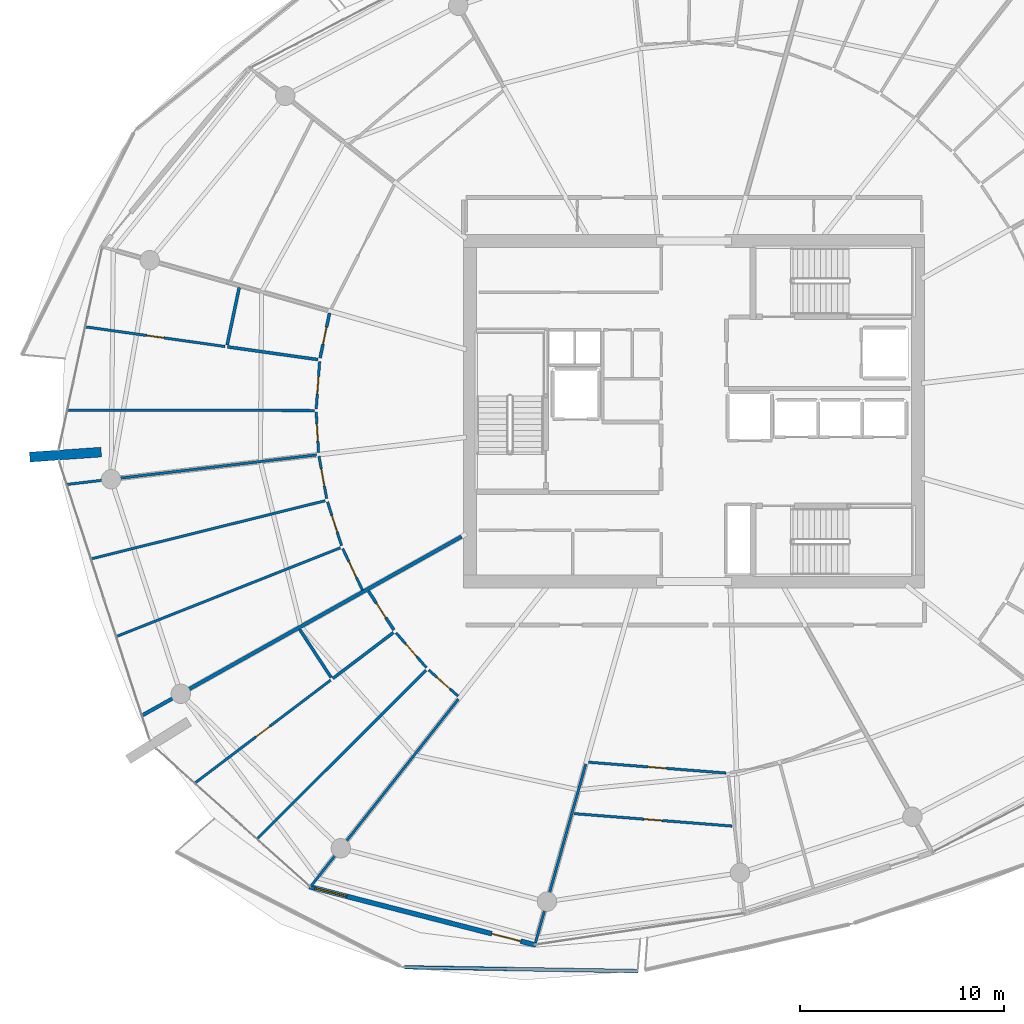
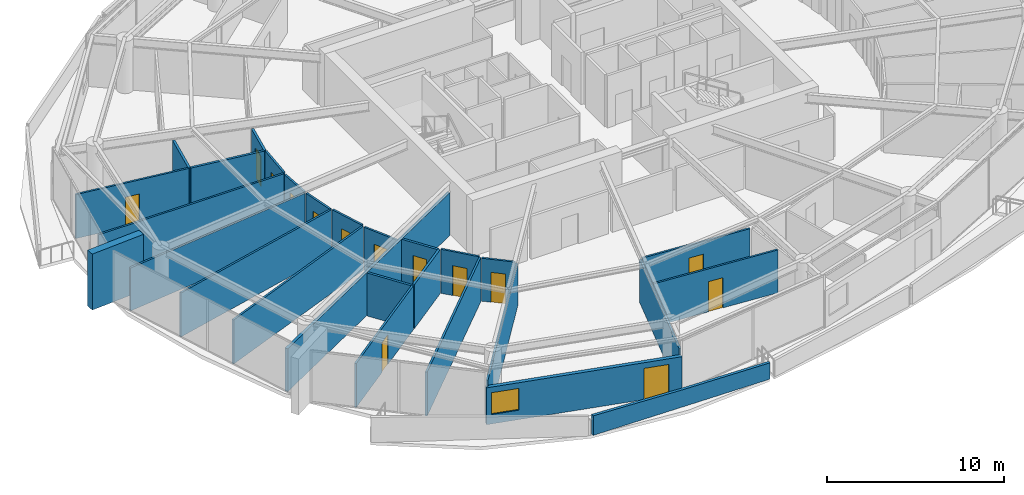
# One storey, part 17 of 29: 28 walls, 14 doors, 1 window, 15 openings.
"""IFC4 building model written with IfcOpenShell, lengths in metres."""

from ifc_helpers import new_model, si_unit, direction, frame, frame_2d, origin, place, context, subcontext, project, spatial, polyline, rectangle, outline, extrude, material, layer, layer_set, type_object, element, fill, save


model = new_model("IFC4")

# Units and contexts
model_context = context("Model", 3, precision=1e-05, world=origin(), true_north=direction((0.0, 1.0)))
body_context = subcontext(model_context, "Body", "Model", "MODEL_VIEW")
ifc_project = project(units=[si_unit("LENGTHUNIT", "METRE"), si_unit("AREAUNIT", "SQUARE_METRE"), si_unit("VOLUMEUNIT", "CUBIC_METRE"), si_unit("PLANEANGLEUNIT", "RADIAN"), si_unit("MASSUNIT", "GRAM", prefix="KILO")], contexts=[model_context])

# Site, building, storey
site_placement = place(None, origin())
site = spatial("IfcSite", under=ifc_project, at=site_placement, CompositionType="ELEMENT")
building_placement = place(site_placement, origin())
building = spatial("IfcBuilding", under=site, at=building_placement, Name="Kazma Halo Residences", CompositionType="ELEMENT")
storey_placement = place(building_placement, frame((0.0, 0.0, 252.10009765625)))
storey = spatial("IfcBuildingStorey", under=building, at=storey_placement, Name="L63", CompositionType="ELEMENT", Elevation=252.10009765625)

# Walls
ifc_material_1 = material(Name="White Concrete C50/60 Balustrade", Category="concrete")
ifc_layer_1 = layer(ifc_material_1, 0.179931640625)
ifc_layer_set_1 = layer_set([ifc_layer_1], Name="White Concrete C50/60 Balustrade")
wall_type_1 = type_object("IfcWallType", Name="WL-BAL-WAVE-180", PredefinedType="PARAPET", material=ifc_layer_set_1)
wall_1_placement = place(storey_placement, frame((34.267333984375, 14.810546875, 0.0), z_axis=(0.0, 0.0, 1.0), x_axis=(0.999862171908, -0.016602324761, 0.0)))
element("IfcWall", 1, at=wall_1_placement, inside=storey, type_object=wall_type_1, Name="L63 white wave balustrade wall SW.2", PredefinedType="PARAPET", context=body_context, shape_type="SweptSolid", body=[
    extrude(outline(polyline([(0.0, 0.0), (11.4111328125, 0.0), (11.4111328125, 1.119873046875), (5.70556640625, 1.181884765625), (0.0, 1.347900390625), (0.0, 0.0)])), frame((0.0, 0.08984375, 0.0), z_axis=(0.0, -1.0, 0.0), x_axis=(1.0, 0.0, 0.0)), (0.0, 0.0, 1.0), 0.179931640625),
])
ifc_material_2 = material(Name="Pale Concrete C60/75", Category="concrete")
ifc_layer_2 = layer(ifc_material_2, 0.47998046875)
ifc_layer_set_2 = layer_set([ifc_layer_2], Name="Pale Concrete C60/75")
wall_type_2 = type_object("IfcWallType", Name="WL-BLADE-480", PredefinedType="SOLIDWALL", material=ifc_layer_set_2)
wall_2_placement = place(storey_placement, frame((19.4375, 40.002685546875, 0.0), z_axis=(0.0, 0.0, 1.0), x_axis=(-0.997563824095, -0.069759707979, 0.0)))
element("IfcWall", 2, at=wall_2_placement, inside=storey, type_object=wall_type_2, Name="L63 pale concrete structural blade fin wall BW-02", PredefinedType="SOLIDWALL", context=body_context, shape_type="SweptSolid", body=[
    extrude(rectangle(XDim=3.499755859375, YDim=0.47998046875, at=frame_2d((1.75, 0.0))), origin(), (0.0, 0.0, 1.0), 3.849853515625),
])
ifc_material_3 = material(Name="Acoustic Twin-Stud Gypsum")
ifc_layer_3 = layer(ifc_material_3, 0.179931640625)
ifc_layer_set_3 = layer_set([ifc_layer_3], Name="Acoustic Twin-Stud Gypsum")
wall_type_3 = type_object("IfcWallType", Name="WL-DEM-180", PredefinedType="PARTITIONING", material=ifc_layer_set_3)
wall_3_placement = place(storey_placement, frame((37.053955078125, 35.8701171875, 0.0), z_axis=(0.0, 0.0, 1.0), x_axis=(-0.872490186067, -0.488631635506, 0.0)))
element("IfcWall", 3, at=wall_3_placement, inside=storey, type_object=wall_type_3, Name="L63 apartment demising radial wall 08", PredefinedType="PARTITIONING", context=body_context, shape_type="SweptSolid", body=[
    extrude(rectangle(XDim=17.88427734375, YDim=0.179931640625, at=frame_2d((8.942138671875, 0.0))), origin(), (0.0, 0.0, 1.0), 2.956787109375),
])

# Wall, openings, door, window
ifc_material_4 = material(Name="Insulated Pale-Metal Composite Wall")
ifc_layer_4 = layer(ifc_material_4, 0.239990234375)
ifc_layer_set_4 = layer_set([ifc_layer_4], Name="Insulated Pale-Metal Composite Wall")
wall_type_4 = type_object("IfcWallType", Name="WL-EXT-HOST-240", PredefinedType="SOLIDWALL", material=ifc_layer_set_4)
wall_4_placement = place(storey_placement, frame((29.613525390625, 18.7509765625, 0.0), z_axis=(0.0, 0.0, 1.0), x_axis=(0.968343758421, -0.249620442927, 0.0)))
wall_4 = element("IfcWall", 4, at=wall_4_placement, inside=storey, type_object=wall_type_4, Name="L63 exterior terrace-access wall B10", PredefinedType="SOLIDWALL", context=body_context, shape_type="SweptSolid", body=[
    extrude(rectangle(XDim=11.438232421875, YDim=0.239990234375, at=frame_2d((5.71923828125, 0.0))), origin(), (0.0, 0.0, 1.0), 2.539794921875),
])
opening_1_placement = place(wall_4_placement, frame((9.21826171875, 0.0, 0.0)))
opening_1 = element("IfcOpeningElement", 5, at=opening_1_placement, cuts=wall_4, Name="Opening DTR-1600", PredefinedType="OPENING", context=body_context, shape_type="SweptSolid", body=[
    extrude(rectangle(XDim=1.449951171875, YDim=2.14990234375, at=frame_2d((0.72509765625, 1.074951171875))), frame((0.0, 0.1298828125, 0.0), z_axis=(0.0, -1.0, 0.0), x_axis=(1.0, 0.0, 0.0)), (0.0, 0.0, 1.0), 0.260009765625),
])
opening_2_placement = place(wall_4_placement, frame((0.280029296875, 0.0, 0.64990234375)))
opening_2 = element("IfcOpeningElement", 6, at=opening_2_placement, cuts=wall_4, Name="Opening W-1800", PredefinedType="OPENING", context=body_context, shape_type="SweptSolid", body=[
    extrude(rectangle(XDim=1.60009765625, YDim=1.5, at=frame_2d((0.800048828125, 0.75))), frame((0.0, 0.1298828125, 0.0), z_axis=(0.0, -1.0, 0.0), x_axis=(1.0, 0.0, 0.0)), (0.0, 0.0, 1.0), 0.260009765625),
])
ifc_material_5 = material(Name="Aluminium AW-6063 T6 Double-Glazed Terrace Door", Category="aluminium")
door_type_1 = type_object("IfcDoorType", Name="DR-EXT-TERR-1600", OperationType="NOTDEFINED", PredefinedType="DOOR", material=ifc_material_5)
door_1_placement = place(opening_1_placement, origin())
door_1 = element("IfcDoor", 7, at=door_1_placement, inside=storey, type_object=door_type_1, Name="L63 B10 balcony terrace door", OperationType="DOUBLE_DOOR_SLIDING", OverallHeight=2.14990234375, OverallWidth=1.449951171875, PredefinedType="DOOR", context=body_context, shape_type="SweptSolid", body=[
    extrude(rectangle(XDim=1.449951171875, YDim=2.14990234375, at=frame_2d((0.72509765625, 1.074951171875))), frame((0.0, 0.02490234375, 0.0), z_axis=(0.0, -1.0, 0.0), x_axis=(1.0, 0.0, 0.0)), (0.0, 0.0, 1.0), 0.050048828125),
])
fill(opening_1, door_1)
ifc_material_6 = material(Name="Clear Triple-Silver Low-E Glass in Aluminium AW-6063 T6 Frame", Category="aluminium")
window_type = type_object("IfcWindowType", Name="WIN-RES-1800", PartitioningType="DOUBLE_PANEL_VERTICAL", PredefinedType="WINDOW", material=ifc_material_6)
window_placement = place(opening_2_placement, origin())
window = element("IfcWindow", 8, at=window_placement, inside=storey, type_object=window_type, Name="L63 B10 apartment window", OverallHeight=1.5, OverallWidth=1.60009765625, PartitioningType="SINGLE_PANEL", PredefinedType="WINDOW", context=body_context, shape_type="SweptSolid", body=[
    extrude(rectangle(XDim=1.60009765625, YDim=1.5, at=frame_2d((0.800048828125, 0.75))), frame((0.0, 0.030029296875, 0.0), z_axis=(0.0, -1.0, 0.0), x_axis=(1.0, 0.0, 0.0)), (0.0, 0.0, 1.0), 0.06005859375),
])
fill(opening_2, window)

# Wall, opening, door
ifc_material_7 = material(Name="Gypsum Plasterboard Partition")
ifc_layer_5 = layer(ifc_material_7, 0.125)
ifc_layer_set_5 = layer_set([ifc_layer_5], Name="Gypsum Plasterboard Partition")
wall_type_5 = type_object("IfcWallType", Name="WL-PART-125", PredefinedType="PARTITIONING", material=ifc_layer_set_5)
wall_5_placement = place(storey_placement, frame((25.48779296875, 45.167724609375, 0.0), z_axis=(0.0, 0.0, 1.0), x_axis=(-0.990239896804, 0.139373407717, 0.0)))
wall_5 = element("IfcWall", 9, at=wall_5_placement, inside=storey, type_object=wall_type_5, Name="L63 Apartment 1 Outer Walk-In Wardrobe partition wall", PredefinedType="PARTITIONING", context=body_context, shape_type="SweptSolid", body=[
    extrude(rectangle(XDim=6.877197265625, YDim=0.125, at=frame_2d((3.4384765625, 0.0))), origin(), (0.0, 0.0, 1.0), 3.02978515625),
])
opening_3_placement = place(wall_5_placement, frame((3.013671875, 0.0, 0.0)))
opening_3 = element("IfcOpeningElement", 10, at=opening_3_placement, cuts=wall_5, Name="Opening DB-900", PredefinedType="OPENING", context=body_context, shape_type="SweptSolid", body=[
    extrude(rectangle(XDim=0.85009765625, YDim=2.06005859375, at=frame_2d((0.425048828125, 1.030029296875))), frame((0.0, 0.072509765625, 0.0), z_axis=(0.0, -1.0, 0.0), x_axis=(1.0, 0.0, 0.0)), (0.0, 0.0, 1.0), 0.14501953125),
])
ifc_material_8 = material(Name="Moisture-Sealed Timber Leaf", Category="wood")
door_type_2 = type_object("IfcDoorType", Name="DR-BTH-900", OperationType="NOTDEFINED", PredefinedType="DOOR", material=ifc_material_8)
door_2_placement = place(opening_3_placement, origin())
door_2 = element("IfcDoor", 11, at=door_2_placement, inside=storey, type_object=door_type_2, Name="L63 Apartment 1 Outer Walk-In Wardrobe door", OperationType="SINGLE_SWING_LEFT", OverallHeight=2.06005859375, OverallWidth=0.85009765625, PredefinedType="DOOR", context=body_context, shape_type="SweptSolid", body=[
    extrude(rectangle(XDim=0.85009765625, YDim=2.06005859375, at=frame_2d((0.425048828125, 1.030029296875))), frame((0.0, 0.02490234375, 0.0), z_axis=(0.0, -1.0, 0.0), x_axis=(1.0, 0.0, 0.0)), (0.0, 0.0, 1.0), 0.050048828125),
])
fill(opening_3, door_2)

# Wall
wall_6_placement = place(storey_placement, frame((29.85595703125, 42.035888671875, 0.0), z_axis=(0.0, 0.0, 1.0), x_axis=(-0.999998028993, 0.001985449601, 0.0)))
element("IfcWall", 12, at=wall_6_placement, inside=storey, type_object=wall_type_5, Name="L63 Apartment 1 suite divider 6", PredefinedType="PARTITIONING", context=body_context, shape_type="SweptSolid", body=[
    extrude(rectangle(XDim=12.050537109375, YDim=0.125, at=frame_2d((6.025390625, 0.0))), origin(), (0.0, 0.0, 1.0), 3.02978515625),
])

# Wall, opening, door
wall_7_placement = place(storey_placement, frame((30.11572265625, 44.426025390625, 0.0), z_axis=(0.0, 0.0, 1.0), x_axis=(-0.07082759095, -0.997488572546, 0.0)))
wall_7 = element("IfcWall", 13, at=wall_7_placement, inside=storey, type_object=wall_type_5, Name="L63 Apartment 1 Corner Formal Dining Room hall wall", PredefinedType="PARTITIONING", context=body_context, shape_type="SweptSolid", body=[
    extrude(rectangle(XDim=2.31640625, YDim=0.125, at=frame_2d((1.158203125, 0.0))), origin(), (0.0, 0.0, 1.0), 3.02978515625),
])
opening_4_placement = place(wall_7_placement, frame((0.733154296875, 0.0, 0.0)))
opening_4 = element("IfcOpeningElement", 14, at=opening_4_placement, cuts=wall_7, Name="Opening DB-900", PredefinedType="OPENING", context=body_context, shape_type="SweptSolid", body=[
    extrude(rectangle(XDim=0.85009765625, YDim=2.06005859375, at=frame_2d((0.425048828125, 1.030029296875))), frame((0.0, 0.072509765625, 0.0), z_axis=(0.0, -1.0, 0.0), x_axis=(1.0, 0.0, 0.0)), (0.0, 0.0, 1.0), 0.14501953125),
])
door_3_placement = place(opening_4_placement, origin())
door_3 = element("IfcDoor", 15, at=door_3_placement, inside=storey, type_object=door_type_2, Name="L63 Apartment 1 Corner Formal Dining Room door", OperationType="SINGLE_SWING_RIGHT", OverallHeight=2.06005859375, OverallWidth=0.85009765625, PredefinedType="DOOR", context=body_context, shape_type="SweptSolid", body=[
    extrude(rectangle(XDim=0.85009765625, YDim=2.06005859375, at=frame_2d((0.425048828125, 1.030029296875))), frame((0.0, 0.02490234375, 0.0), z_axis=(0.0, -1.0, 0.0), x_axis=(1.0, 0.0, 0.0)), (0.0, 0.0, 1.0), 0.050048828125),
])
fill(opening_4, door_3)

wall_8_placement = place(storey_placement, frame((29.95068359375, 41.955810546875, 0.0), z_axis=(0.0, 0.0, 1.0), x_axis=(0.057790197943, -0.998328749973, 0.0)))
wall_8 = element("IfcWall", 16, at=wall_8_placement, inside=storey, type_object=wall_type_5, Name="L63 Apartment 1 Garden Master Bedroom hall wall", PredefinedType="PARTITIONING", context=body_context, shape_type="SweptSolid", body=[
    extrude(rectangle(XDim=1.9814453125, YDim=0.125, at=frame_2d((0.99072265625, 0.0))), origin(), (0.0, 0.0, 1.0), 2.956787109375),
])
opening_5_placement = place(wall_8_placement, frame((0.565673828125, 0.0, 0.0)))
opening_5 = element("IfcOpeningElement", 17, at=opening_5_placement, cuts=wall_8, Name="Opening DB-900", PredefinedType="OPENING", context=body_context, shape_type="SweptSolid", body=[
    extrude(rectangle(XDim=0.85009765625, YDim=2.06005859375, at=frame_2d((0.425048828125, 1.030029296875))), frame((0.0, 0.072509765625, 0.0), z_axis=(0.0, -1.0, 0.0), x_axis=(1.0, 0.0, 0.0)), (0.0, 0.0, 1.0), 0.14501953125),
])
door_4_placement = place(opening_5_placement, origin())
door_4 = element("IfcDoor", 18, at=door_4_placement, inside=storey, type_object=door_type_2, Name="L63 Apartment 1 Garden Master Bedroom door", OperationType="SINGLE_SWING_LEFT", OverallHeight=2.06005859375, OverallWidth=0.85009765625, PredefinedType="DOOR", context=body_context, shape_type="SweptSolid", body=[
    extrude(rectangle(XDim=0.85009765625, YDim=2.06005859375, at=frame_2d((0.425048828125, 1.030029296875))), frame((0.0, 0.02490234375, 0.0), z_axis=(0.0, -1.0, 0.0), x_axis=(1.0, 0.0, 0.0)), (0.0, 0.0, 1.0), 0.050048828125),
])
fill(opening_5, door_4)

# Walls
wall_9_placement = place(storey_placement, frame((29.9716796875, 39.8662109375, 0.0), z_axis=(0.0, 0.0, 1.0), x_axis=(-0.993068089356, -0.117540503246, 0.0)))
element("IfcWall", 19, at=wall_9_placement, inside=storey, type_object=wall_type_5, Name="L63 Apartment 1 radial partition 7", PredefinedType="PARTITIONING", context=body_context, shape_type="SweptSolid", body=[
    extrude(rectangle(XDim=12.275634765625, YDim=0.125, at=frame_2d((6.1376953125, 0.0))), origin(), (0.0, 0.0, 1.0), 2.956787109375),
])
wall_10_placement = place(storey_placement, frame((30.39111328125, 37.6259765625, 0.0), z_axis=(0.0, 0.0, 1.0), x_axis=(-0.970503640625, -0.24108646485, 0.0)))
element("IfcWall", 20, at=wall_10_placement, inside=storey, type_object=wall_type_5, Name="L63 Apartment 1 bay wall 1 7", PredefinedType="PARTITIONING", context=body_context, shape_type="SweptSolid", body=[
    extrude(rectangle(XDim=11.775390625, YDim=0.125, at=frame_2d((5.8876953125, 0.0))), origin(), (0.0, 0.0, 1.0), 3.02978515625),
])
wall_11_placement = place(storey_placement, frame((31.130126953125, 35.32080078125, 0.0), z_axis=(0.0, 0.0, 1.0), x_axis=(-0.929773898428, -0.368131087796, 0.0)))
element("IfcWall", 21, at=wall_11_placement, inside=storey, type_object=wall_type_5, Name="L63 Apartment 1 bay wall 2 7", PredefinedType="PARTITIONING", context=body_context, shape_type="SweptSolid", body=[
    extrude(rectangle(XDim=11.759765625, YDim=0.125, at=frame_2d((5.8798828125, 0.0))), origin(), (0.0, 0.0, 1.0), 3.02978515625),
])

# Wall, opening, door
wall_12_placement = place(storey_placement, frame((30.08544921875, 39.79931640625, 0.0), z_axis=(0.0, 0.0, 1.0), x_axis=(0.179690800857, -0.983723139957, 0.0)))
wall_12 = element("IfcWall", 22, at=wall_12_placement, inside=storey, type_object=wall_type_5, Name="L63 Apartment 1 Primary Master Bedroom hall wall", PredefinedType="PARTITIONING", context=body_context, shape_type="SweptSolid", body=[
    extrude(rectangle(XDim=2.107177734375, YDim=0.125, at=frame_2d((1.0537109375, 0.0))), origin(), (0.0, 0.0, 1.0), 2.956787109375),
])
opening_6_placement = place(wall_12_placement, frame((0.628662109375, 0.0, 0.0)))
opening_6 = element("IfcOpeningElement", 23, at=opening_6_placement, cuts=wall_12, Name="Opening DB-900", PredefinedType="OPENING", context=body_context, shape_type="SweptSolid", body=[
    extrude(rectangle(XDim=0.85009765625, YDim=2.06005859375, at=frame_2d((0.425048828125, 1.030029296875))), frame((0.0, 0.072509765625, 0.0), z_axis=(0.0, -1.0, 0.0), x_axis=(1.0, 0.0, 0.0)), (0.0, 0.0, 1.0), 0.14501953125),
])
door_5_placement = place(opening_6_placement, origin())
door_5 = element("IfcDoor", 24, at=door_5_placement, inside=storey, type_object=door_type_2, Name="L63 Apartment 1 Primary Master Bedroom door", OperationType="SINGLE_SWING_RIGHT", OverallHeight=2.06005859375, OverallWidth=0.85009765625, PredefinedType="DOOR", context=body_context, shape_type="SweptSolid", body=[
    extrude(rectangle(XDim=0.85009765625, YDim=2.06005859375, at=frame_2d((0.425048828125, 1.030029296875))), frame((0.0, 0.02490234375, 0.0), z_axis=(0.0, -1.0, 0.0), x_axis=(1.0, 0.0, 0.0)), (0.0, 0.0, 1.0), 0.050048828125),
])
fill(opening_6, door_5)

wall_13_placement = place(storey_placement, frame((30.5029296875, 37.5712890625, 0.0), z_axis=(0.0, 0.0, 1.0), x_axis=(0.305327243998, -0.952247485727, 0.0)))
wall_13 = element("IfcWall", 25, at=wall_13_placement, inside=storey, type_object=wall_type_5, Name="L63 Apartment 1 Secondary Dressing Wardrobe hall wall", PredefinedType="PARTITIONING", context=body_context, shape_type="SweptSolid", body=[
    extrude(rectangle(XDim=2.24853515625, YDim=0.125, at=frame_2d((1.124267578125, 0.0))), origin(), (0.0, 0.0, 1.0), 3.02978515625),
])
opening_7_placement = place(wall_13_placement, frame((0.69921875, 0.0, 0.0)))
opening_7 = element("IfcOpeningElement", 26, at=opening_7_placement, cuts=wall_13, Name="Opening DB-900", PredefinedType="OPENING", context=body_context, shape_type="SweptSolid", body=[
    extrude(rectangle(XDim=0.85009765625, YDim=2.06005859375, at=frame_2d((0.425048828125, 1.030029296875))), frame((0.0, 0.072509765625, 0.0), z_axis=(0.0, -1.0, 0.0), x_axis=(1.0, 0.0, 0.0)), (0.0, 0.0, 1.0), 0.14501953125),
])
door_6_placement = place(opening_7_placement, origin())
door_6 = element("IfcDoor", 27, at=door_6_placement, inside=storey, type_object=door_type_2, Name="L63 Apartment 1 Secondary Dressing Wardrobe door", OperationType="SINGLE_SWING_LEFT", OverallHeight=2.06005859375, OverallWidth=0.85009765625, PredefinedType="DOOR", context=body_context, shape_type="SweptSolid", body=[
    extrude(rectangle(XDim=0.85009765625, YDim=2.06005859375, at=frame_2d((0.425048828125, 1.030029296875))), frame((0.0, 0.02490234375, 0.0), z_axis=(0.0, -1.0, 0.0), x_axis=(1.0, 0.0, 0.0)), (0.0, 0.0, 1.0), 0.050048828125),
])
fill(opening_7, door_6)

wall_14_placement = place(storey_placement, frame((31.248046875, 35.281494140625, 0.0), z_axis=(0.0, 0.0, 1.0), x_axis=(0.429406696771, -0.903111227241, 0.0)))
wall_14 = element("IfcWall", 28, at=wall_14_placement, inside=storey, type_object=wall_type_5, Name="L63 Apartment 1 East Master Bedroom hall wall", PredefinedType="PARTITIONING", context=body_context, shape_type="SweptSolid", body=[
    extrude(rectangle(XDim=2.24853515625, YDim=0.125, at=frame_2d((1.124267578125, 0.0))), origin(), (0.0, 0.0, 1.0), 2.956787109375),
])
opening_8_placement = place(wall_14_placement, frame((0.699462890625, 0.0, 0.0)))
opening_8 = element("IfcOpeningElement", 29, at=opening_8_placement, cuts=wall_14, Name="Opening DB-900", PredefinedType="OPENING", context=body_context, shape_type="SweptSolid", body=[
    extrude(rectangle(XDim=0.85009765625, YDim=2.06005859375, at=frame_2d((0.425048828125, 1.030029296875))), frame((0.0, 0.072509765625, 0.0), z_axis=(0.0, -1.0, 0.0), x_axis=(1.0, 0.0, 0.0)), (0.0, 0.0, 1.0), 0.14501953125),
])
door_7_placement = place(opening_8_placement, origin())
door_7 = element("IfcDoor", 30, at=door_7_placement, inside=storey, type_object=door_type_2, Name="L63 Apartment 1 East Master Bedroom door", OperationType="SINGLE_SWING_RIGHT", OverallHeight=2.06005859375, OverallWidth=0.85009765625, PredefinedType="DOOR", context=body_context, shape_type="SweptSolid", body=[
    extrude(rectangle(XDim=0.85009765625, YDim=2.06005859375, at=frame_2d((0.425048828125, 1.030029296875))), frame((0.0, 0.02490234375, 0.0), z_axis=(0.0, -1.0, 0.0), x_axis=(1.0, 0.0, 0.0)), (0.0, 0.0, 1.0), 0.050048828125),
])
fill(opening_8, door_7)

# Wall
wall_15_placement = place(storey_placement, frame((36.9033203125, 27.924072265625, 0.0), z_axis=(0.0, 0.0, 1.0), x_axis=(-0.619090039254, -0.785320013304, 0.0)))
element("IfcWall", 31, at=wall_15_placement, inside=storey, type_object=wall_type_5, Name="L63 Apartment 2 living radial partition 8", PredefinedType="PARTITIONING", context=body_context, shape_type="SweptSolid", body=[
    extrude(rectangle(XDim=11.671630859375, YDim=0.125, at=frame_2d((5.8359375, 0.0))), origin(), (0.0, 0.0, 1.0), 2.956787109375),
])

# Wall, opening, door
wall_16_placement = place(storey_placement, frame((30.657470703125, 28.8505859375, 0.0), z_axis=(0.0, 0.0, 1.0), x_axis=(-0.796843780875, -0.604185392807, 0.0)))
wall_16 = element("IfcWall", 32, at=wall_16_placement, inside=storey, type_object=wall_type_5, Name="L63 Apartment 2 Household Store Room partition wall", PredefinedType="PARTITIONING", context=body_context, shape_type="SweptSolid", body=[
    extrude(rectangle(XDim=8.318115234375, YDim=0.125, at=frame_2d((4.1591796875, 0.0))), origin(), (0.0, 0.0, 1.0), 3.02978515625),
])
opening_9_placement = place(wall_16_placement, frame((3.734130859375, 0.0, 0.0)))
opening_9 = element("IfcOpeningElement", 33, at=opening_9_placement, cuts=wall_16, Name="Opening DB-900", PredefinedType="OPENING", context=body_context, shape_type="SweptSolid", body=[
    extrude(rectangle(XDim=0.85009765625, YDim=2.06005859375, at=frame_2d((0.425048828125, 1.030029296875))), frame((0.0, 0.072509765625, 0.0), z_axis=(0.0, -1.0, 0.0), x_axis=(1.0, 0.0, 0.0)), (0.0, 0.0, 1.0), 0.14501953125),
])
door_8_placement = place(opening_9_placement, origin())
door_8 = element("IfcDoor", 34, at=door_8_placement, inside=storey, type_object=door_type_2, Name="L63 Apartment 2 Household Store Room door", OperationType="SINGLE_SWING_LEFT", OverallHeight=2.06005859375, OverallWidth=0.85009765625, PredefinedType="DOOR", context=body_context, shape_type="SweptSolid", body=[
    extrude(rectangle(XDim=0.85009765625, YDim=2.06005859375, at=frame_2d((0.425048828125, 1.030029296875))), frame((0.0, 0.02490234375, 0.0), z_axis=(0.0, -1.0, 0.0), x_axis=(1.0, 0.0, 0.0)), (0.0, 0.0, 1.0), 0.050048828125),
])
fill(opening_9, door_8)

# Wall
wall_17_placement = place(storey_placement, frame((35.326416015625, 29.339599609375, 0.0), z_axis=(0.0, 0.0, 1.0), x_axis=(-0.707472916484, -0.706740456208, 0.0)))
element("IfcWall", 35, at=wall_17_placement, inside=storey, type_object=wall_type_5, Name="L63 Apartment 2 suite divider 8", PredefinedType="PARTITIONING", context=body_context, shape_type="SweptSolid", body=[
    extrude(rectangle(XDim=11.666015625, YDim=0.125, at=frame_2d((5.8330078125, 0.0))), origin(), (0.0, 0.0, 1.0), 3.02978515625),
])

# Wall, opening, door
wall_18_placement = place(storey_placement, frame((33.856201171875, 31.1630859375, 0.0), z_axis=(0.0, 0.0, 1.0), x_axis=(0.656985315096, -0.753903372952, 0.0)))
wall_18 = element("IfcWall", 36, at=wall_18_placement, inside=storey, type_object=wall_type_5, Name="L63 Apartment 2 Gourmet Kitchen hall wall", PredefinedType="PARTITIONING", context=body_context, shape_type="SweptSolid", body=[
    extrude(rectangle(XDim=2.254638671875, YDim=0.125, at=frame_2d((1.12744140625, 0.0))), origin(), (0.0, 0.0, 1.0), 3.02978515625),
])
opening_10_placement = place(wall_18_placement, frame((0.702392578125, 0.0, 0.0)))
opening_10 = element("IfcOpeningElement", 37, at=opening_10_placement, cuts=wall_18, Name="Opening DB-900", PredefinedType="OPENING", context=body_context, shape_type="SweptSolid", body=[
    extrude(rectangle(XDim=0.85009765625, YDim=2.06005859375, at=frame_2d((0.425048828125, 1.030029296875))), frame((0.0, 0.072509765625, 0.0), z_axis=(0.0, -1.0, 0.0), x_axis=(1.0, 0.0, 0.0)), (0.0, 0.0, 1.0), 0.14501953125),
])
door_9_placement = place(opening_10_placement, origin())
door_9 = element("IfcDoor", 38, at=door_9_placement, inside=storey, type_object=door_type_2, Name="L63 Apartment 2 Gourmet Kitchen door", OperationType="SINGLE_SWING_RIGHT", OverallHeight=2.06005859375, OverallWidth=0.85009765625, PredefinedType="DOOR", context=body_context, shape_type="SweptSolid", body=[
    extrude(rectangle(XDim=0.85009765625, YDim=2.06005859375, at=frame_2d((0.425048828125, 1.030029296875))), frame((0.0, 0.02490234375, 0.0), z_axis=(0.0, -1.0, 0.0), x_axis=(1.0, 0.0, 0.0)), (0.0, 0.0, 1.0), 0.050048828125),
])
fill(opening_10, door_9)

wall_19_placement = place(storey_placement, frame((35.44970703125, 29.349853515625, 0.0), z_axis=(0.0, 0.0, 1.0), x_axis=(0.747360411924, -0.664418854857, 0.0)))
wall_19 = element("IfcWall", 39, at=wall_19_placement, inside=storey, type_object=wall_type_5, Name="L63 Apartment 2 Primary Bedroom hall wall", PredefinedType="PARTITIONING", context=body_context, shape_type="SweptSolid", body=[
    extrude(rectangle(XDim=1.927978515625, YDim=0.125, at=frame_2d((0.9638671875, 0.0))), origin(), (0.0, 0.0, 1.0), 2.956787109375),
])
opening_11_placement = place(wall_19_placement, frame((0.5390625, 0.0, 0.0)))
opening_11 = element("IfcOpeningElement", 40, at=opening_11_placement, cuts=wall_19, Name="Opening DB-900", PredefinedType="OPENING", context=body_context, shape_type="SweptSolid", body=[
    extrude(rectangle(XDim=0.85009765625, YDim=2.06005859375, at=frame_2d((0.425048828125, 1.030029296875))), frame((0.0, 0.072509765625, 0.0), z_axis=(0.0, -1.0, 0.0), x_axis=(1.0, 0.0, 0.0)), (0.0, 0.0, 1.0), 0.14501953125),
])
door_10_placement = place(opening_11_placement, origin())
door_10 = element("IfcDoor", 41, at=door_10_placement, inside=storey, type_object=door_type_2, Name="L63 Apartment 2 Primary Bedroom door", OperationType="SINGLE_SWING_LEFT", OverallHeight=2.06005859375, OverallWidth=0.85009765625, PredefinedType="DOOR", context=body_context, shape_type="SweptSolid", body=[
    extrude(rectangle(XDim=0.85009765625, YDim=2.06005859375, at=frame_2d((0.425048828125, 1.030029296875))), frame((0.0, 0.02490234375, 0.0), z_axis=(0.0, -1.0, 0.0), x_axis=(1.0, 0.0, 0.0)), (0.0, 0.0, 1.0), 0.050048828125),
])
fill(opening_11, door_10)

# Wall
wall_20_placement = place(storey_placement, frame((43.134765625, 24.7490234375, 0.0), z_axis=(0.0, 0.0, 1.0), x_axis=(-0.271445445258, -0.962453827593, 0.0)))
element("IfcWall", 42, at=wall_20_placement, inside=storey, type_object=wall_type_5, Name="L63 Apartment 2 radial partition 10", PredefinedType="PARTITIONING", context=body_context, shape_type="SweptSolid", body=[
    extrude(rectangle(XDim=9.060546875, YDim=0.125, at=frame_2d((4.5302734375, 0.0))), origin(), (0.0, 0.0, 1.0), 2.956787109375),
])

# Wall, opening, door
wall_21_placement = place(storey_placement, frame((43.271484375, 24.836669921875, 0.0), z_axis=(0.0, 0.0, 1.0), x_axis=(0.996915339886, -0.078484425849, 0.0)))
wall_21 = element("IfcWall", 43, at=wall_21_placement, inside=storey, type_object=wall_type_5, Name="L63 Apartment 2 East Study hall wall", PredefinedType="PARTITIONING", context=body_context, shape_type="SweptSolid", body=[
    extrude(rectangle(XDim=6.734619140625, YDim=0.125, at=frame_2d((3.3671875, 0.0))), origin(), (0.0, 0.0, 1.0), 2.956787109375),
])
opening_12_placement = place(wall_21_placement, frame((2.917236328125, 0.0, 0.0)))
opening_12 = element("IfcOpeningElement", 44, at=opening_12_placement, cuts=wall_21, Name="Opening DI-950", PredefinedType="OPENING", context=body_context, shape_type="SweptSolid", body=[
    extrude(rectangle(XDim=0.89990234375, YDim=2.080078125, at=frame_2d((0.449951171875, 1.0400390625))), frame((0.0, 0.072509765625, 0.0), z_axis=(0.0, -1.0, 0.0), x_axis=(1.0, 0.0, 0.0)), (0.0, 0.0, 1.0), 0.14501953125),
])
ifc_material_9 = material(Name="Timber Veneer Flush Leaf", Category="wood")
door_type_3 = type_object("IfcDoorType", Name="DR-INT-950", OperationType="NOTDEFINED", PredefinedType="DOOR", material=ifc_material_9)
door_11_placement = place(opening_12_placement, origin())
door_11 = element("IfcDoor", 45, at=door_11_placement, inside=storey, type_object=door_type_3, Name="L63 Apartment 2 East Study door", OperationType="SINGLE_SWING_RIGHT", OverallHeight=2.080078125, OverallWidth=0.89990234375, PredefinedType="DOOR", context=body_context, shape_type="SweptSolid", body=[
    extrude(rectangle(XDim=0.89990234375, YDim=2.080078125, at=frame_2d((0.449951171875, 1.0400390625))), frame((0.0, 0.02490234375, 0.0), z_axis=(0.0, -1.0, 0.0), x_axis=(1.0, 0.0, 0.0)), (0.0, 0.0, 1.0), 0.050048828125),
])
fill(opening_12, door_11)

wall_22_placement = place(storey_placement, frame((42.5625, 22.32275390625, 0.0), z_axis=(0.0, 0.0, 1.0), x_axis=(0.996916778928, -0.078466144881, 0.0)))
wall_22 = element("IfcWall", 46, at=wall_22_placement, inside=storey, type_object=wall_type_5, Name="L63 Apartment 2 West Master Bedroom divider wall", PredefinedType="PARTITIONING", context=body_context, shape_type="SweptSolid", body=[
    extrude(rectangle(XDim=7.753662109375, YDim=0.125, at=frame_2d((3.876953125, 0.0))), origin(), (0.0, 0.0, 1.0), 2.956787109375),
])
opening_13_placement = place(wall_22_placement, frame((3.427001953125, 0.0, 0.0)))
opening_13 = element("IfcOpeningElement", 47, at=opening_13_placement, cuts=wall_22, Name="Opening DI-950", PredefinedType="OPENING", context=body_context, shape_type="SweptSolid", body=[
    extrude(rectangle(XDim=0.89990234375, YDim=2.080078125, at=frame_2d((0.449951171875, 1.0400390625))), frame((0.0, 0.072509765625, 0.0), z_axis=(0.0, -1.0, 0.0), x_axis=(1.0, 0.0, 0.0)), (0.0, 0.0, 1.0), 0.14501953125),
])
door_12_placement = place(opening_13_placement, origin())
door_12 = element("IfcDoor", 48, at=door_12_placement, inside=storey, type_object=door_type_3, Name="L63 Apartment 2 West Master Bedroom door", OperationType="SINGLE_SWING_LEFT", OverallHeight=2.080078125, OverallWidth=0.89990234375, PredefinedType="DOOR", context=body_context, shape_type="SweptSolid", body=[
    extrude(rectangle(XDim=0.89990234375, YDim=2.080078125, at=frame_2d((0.449951171875, 1.0400390625))), frame((0.0, 0.02490234375, 0.0), z_axis=(0.0, -1.0, 0.0), x_axis=(1.0, 0.0, 0.0)), (0.0, 0.0, 1.0), 0.050048828125),
])
fill(opening_13, door_12)

ifc_material_10 = material(Name="Moisture-Resistant Gypsum")
ifc_layer_6 = layer(ifc_material_10, 0.14990234375)
ifc_layer_set_6 = layer_set([ifc_layer_6], Name="Moisture-Resistant Gypsum")
wall_type_6 = type_object("IfcWallType", Name="WL-WET-150", PredefinedType="PARTITIONING", material=ifc_layer_set_6)
wall_23_placement = place(storey_placement, frame((30.603271484375, 46.802734375, 0.0), z_axis=(0.0, 0.0, 1.0), x_axis=(-0.205906433606, -0.978571683935, 0.0)))
wall_23 = element("IfcWall", 49, at=wall_23_placement, inside=storey, type_object=wall_type_6, Name="L63 Apartment 1 Inner En-Suite Bathroom hall wall", PredefinedType="PARTITIONING", context=body_context, shape_type="SweptSolid", body=[
    extrude(rectangle(XDim=2.246826171875, YDim=0.14990234375, at=frame_2d((1.12353515625, 0.0))), origin(), (0.0, 0.0, 1.0), 2.956787109375),
])
opening_14_placement = place(wall_23_placement, frame((0.698486328125, 0.0, 0.0)))
opening_14 = element("IfcOpeningElement", 50, at=opening_14_placement, cuts=wall_23, Name="Opening DB-900", PredefinedType="OPENING", context=body_context, shape_type="SweptSolid", body=[
    extrude(rectangle(XDim=0.85009765625, YDim=2.06005859375, at=frame_2d((0.425048828125, 1.030029296875))), frame((0.0, 0.0849609375, 0.0), z_axis=(0.0, -1.0, 0.0), x_axis=(1.0, 0.0, 0.0)), (0.0, 0.0, 1.0), 0.169921875),
])
door_13_placement = place(opening_14_placement, origin())
door_13 = element("IfcDoor", 51, at=door_13_placement, inside=storey, type_object=door_type_2, Name="L63 Apartment 1 Inner En-Suite Bathroom door", OperationType="SINGLE_SWING_RIGHT", OverallHeight=2.06005859375, OverallWidth=0.85009765625, PredefinedType="DOOR", context=body_context, shape_type="SweptSolid", body=[
    extrude(rectangle(XDim=0.85009765625, YDim=2.06005859375, at=frame_2d((0.425048828125, 1.030029296875))), frame((0.0, 0.02490234375, 0.0), z_axis=(0.0, -1.0, 0.0), x_axis=(1.0, 0.0, 0.0)), (0.0, 0.0, 1.0), 0.050048828125),
])
fill(opening_14, door_13)

# Walls
wall_24_placement = place(storey_placement, frame((26.185546875, 48.048583984375, 0.0), z_axis=(0.0, 0.0, 1.0), x_axis=(-0.205851663269, -0.97858320685, 0.0)))
element("IfcWall", 52, at=wall_24_placement, inside=storey, type_object=wall_type_6, Name="L63 Apartment 1 Inner En-Suite Bathroom back wall", PredefinedType="PARTITIONING", context=body_context, shape_type="SweptSolid", body=[
    extrude(rectangle(XDim=2.866455078125, YDim=0.14990234375, at=frame_2d((1.43310546875, 0.0))), origin(), (0.0, 0.0, 1.0), 2.956787109375),
])
wall_25_placement = place(storey_placement, frame((30.032958984375, 44.5283203125, 0.0), z_axis=(0.0, 0.0, 1.0), x_axis=(-0.990248320871, 0.139313542101, 0.0)))
element("IfcWall", 53, at=wall_25_placement, inside=storey, type_object=wall_type_6, Name="L63 Apartment 1 Inner En-Suite Bathroom side wall", PredefinedType="PARTITIONING", context=body_context, shape_type="SweptSolid", body=[
    extrude(rectangle(XDim=4.4599609375, YDim=0.14990234375, at=frame_2d((2.22998046875, 0.0))), origin(), (0.0, 0.0, 1.0), 3.02978515625),
])

# Wall, opening, door
wall_26_placement = place(storey_placement, frame((32.50341796875, 33.20703125, 0.0), z_axis=(0.0, 0.0, 1.0), x_axis=(0.54776176335, -0.836634358972, 0.0)))
wall_26 = element("IfcWall", 54, at=wall_26_placement, inside=storey, type_object=wall_type_6, Name="L63 Apartment 2 Guest Bathroom hall wall", PredefinedType="PARTITIONING", context=body_context, shape_type="SweptSolid", body=[
    extrude(rectangle(XDim=2.271728515625, YDim=0.14990234375, at=frame_2d((1.1357421875, 0.0))), origin(), (0.0, 0.0, 1.0), 2.956787109375),
])
opening_15_placement = place(wall_26_placement, frame((0.7109375, 0.0, 0.0)))
opening_15 = element("IfcOpeningElement", 55, at=opening_15_placement, cuts=wall_26, Name="Opening DB-900", PredefinedType="OPENING", context=body_context, shape_type="SweptSolid", body=[
    extrude(rectangle(XDim=0.85009765625, YDim=2.06005859375, at=frame_2d((0.425048828125, 1.030029296875))), frame((0.0, 0.0849609375, 0.0), z_axis=(0.0, -1.0, 0.0), x_axis=(1.0, 0.0, 0.0)), (0.0, 0.0, 1.0), 0.169921875),
])
door_14_placement = place(opening_15_placement, origin())
door_14 = element("IfcDoor", 56, at=door_14_placement, inside=storey, type_object=door_type_2, Name="L63 Apartment 2 Guest Bathroom door", OperationType="SINGLE_SWING_RIGHT", OverallHeight=2.06005859375, OverallWidth=0.85009765625, PredefinedType="DOOR", context=body_context, shape_type="SweptSolid", body=[
    extrude(rectangle(XDim=0.85009765625, YDim=2.06005859375, at=frame_2d((0.425048828125, 1.030029296875))), frame((0.0, 0.02490234375, 0.0), z_axis=(0.0, -1.0, 0.0), x_axis=(1.0, 0.0, 0.0)), (0.0, 0.0, 1.0), 0.050048828125),
])
fill(opening_15, door_14)

# Walls
wall_27_placement = place(storey_placement, frame((29.144287109375, 31.325927734375, 0.0), z_axis=(0.0, 0.0, 1.0), x_axis=(0.547727893033, -0.836656533587, 0.0)))
element("IfcWall", 57, at=wall_27_placement, inside=storey, type_object=wall_type_6, Name="L63 Apartment 2 Guest Bathroom back wall", PredefinedType="PARTITIONING", context=body_context, shape_type="SweptSolid", body=[
    extrude(rectangle(XDim=2.8037109375, YDim=0.14990234375, at=frame_2d((1.40185546875, 0.0))), origin(), (0.0, 0.0, 1.0), 2.956787109375),
])
wall_28_placement = place(storey_placement, frame((33.725341796875, 31.1767578125, 0.0), z_axis=(0.0, 0.0, 1.0), x_axis=(-0.796854692537, -0.604171001441, 0.0)))
element("IfcWall", 58, at=wall_28_placement, inside=storey, type_object=wall_type_6, Name="L63 Apartment 2 Guest Bathroom side wall", PredefinedType="PARTITIONING", context=body_context, shape_type="SweptSolid", body=[
    extrude(rectangle(XDim=3.719970703125, YDim=0.14990234375, at=frame_2d((1.85986328125, 0.0))), origin(), (0.0, 0.0, 1.0), 3.02978515625),
])

save(model, "model.ifc")
